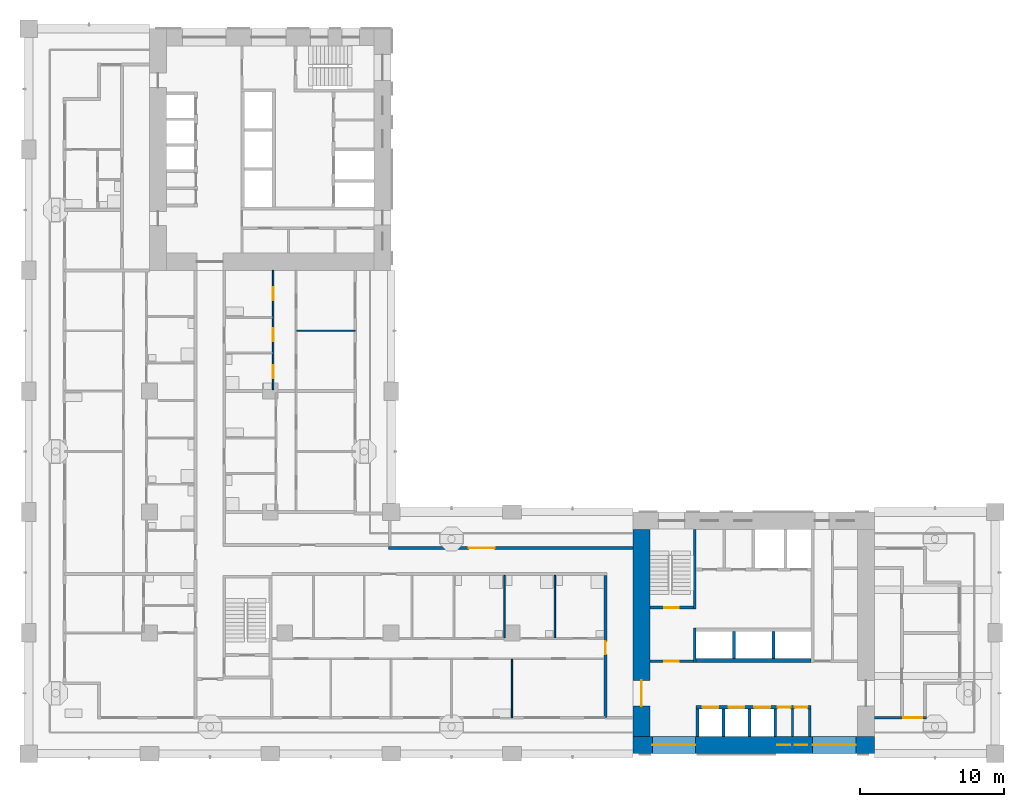
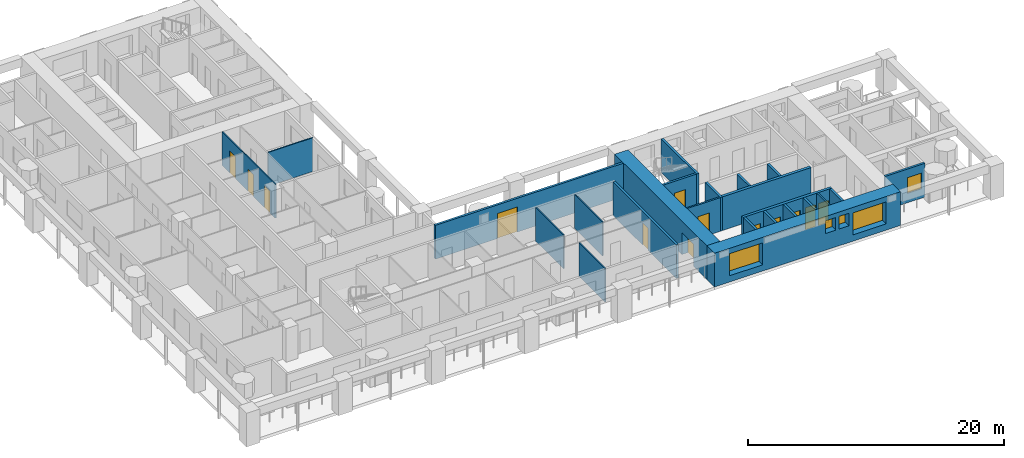
# One storey, part 5 of 19: 24 walls, 13 doors, 5 windows, 18 openings.
"""IFC4 building model written with IfcOpenShell, lengths in metres."""

from ifc_helpers import new_model, si_unit, direction, frame, frame_2d, origin, place, context, subcontext, project, spatial, rectangle, extrude, material, layer, layer_set, type_object, element, fill, save


model = new_model("IFC4")

# Units and contexts
model_context = context("Model", 3, precision=1e-05, world=origin(), true_north=direction((0.0, 1.0)))
body_context = subcontext(model_context, "Body", "Model", "MODEL_VIEW")
ifc_project = project(units=[si_unit("LENGTHUNIT", "METRE"), si_unit("AREAUNIT", "SQUARE_METRE"), si_unit("VOLUMEUNIT", "CUBIC_METRE"), si_unit("PLANEANGLEUNIT", "RADIAN"), si_unit("MASSUNIT", "GRAM", prefix="KILO")], contexts=[model_context])

# Site, building, storey
site_placement = place(None, origin())
site = spatial("IfcSite", under=ifc_project, at=site_placement, CompositionType="ELEMENT")
building_placement = place(site_placement, origin())
building = spatial("IfcBuilding", under=site, at=building_placement, Name="Vermilion Gate Residences", CompositionType="ELEMENT")
storey_placement = place(building_placement, frame((0.0, 0.0, 123.199951171875)))
storey = spatial("IfcBuildingStorey", under=building, at=storey_placement, Name="L31", CompositionType="ELEMENT", Elevation=123.199951171875)

# Wall
ifc_material_1 = material(Name="Masonry blockwork", Category="masonry")
ifc_layer_1 = layer(ifc_material_1, 0.14990234375)
ifc_layer_set_1 = layer_set([ifc_layer_1], Name="BLOCKWORK PARTITION 150 EI 120")
wall_type_1 = type_object("IfcWallType", Name="BLOCKWORK PARTITION 150 EI 120", PredefinedType="PARTITIONING", material=ifc_layer_set_1)
wall_1_placement = place(storey_placement, frame((53.10009765625, 9.60009765625, 0.0), z_axis=(0.0, 0.0, 1.0), x_axis=(0.0, 1.0, 0.0)))
element("IfcWall", 1, at=wall_1_placement, inside=storey, type_object=wall_type_1, Name="Core room partition A31-SR-P0", PredefinedType="PARTITIONING", context=body_context, shape_type="SweptSolid", body=[
    extrude(rectangle(XDim=1.89990234375, YDim=0.14990234375, at=frame_2d((0.949951171875, 0.0))), origin(), (0.0, 0.0, 1.0), 3.219970703125),
])

# Wall, opening, door
wall_2_placement = place(storey_placement, frame((43.199951171875, 14.824951171875, 0.0), z_axis=(0.0, 0.0, 1.0), x_axis=(1.0, 0.0, 0.0)))
wall_2 = element("IfcWall", 2, at=wall_2_placement, inside=storey, type_object=wall_type_1, Name="Core room partition A31-VW-S", PredefinedType="PARTITIONING", context=body_context, shape_type="SweptSolid", body=[
    extrude(rectangle(XDim=3.0, YDim=0.14990234375, at=frame_2d((1.5, 0.0))), origin(), (0.0, 0.0, 1.0), 3.219970703125),
])
opening_1_placement = place(wall_2_placement, frame((1.0, 0.0, 0.0)))
opening_1 = element("IfcOpeningElement", 3, at=opening_1_placement, cuts=wall_2, Name="Opening DK31012", PredefinedType="OPENING", context=body_context, shape_type="SweptSolid", body=[
    extrude(rectangle(XDim=1.0, YDim=2.10009765625, at=frame_2d((0.5, 1.050048828125))), frame((0.0, 0.0849609375, 0.0), z_axis=(0.0, -1.0, 0.0), x_axis=(1.0, 0.0, 0.0)), (0.0, 0.0, 1.0), 0.169921875),
])
ifc_material_2 = material(Name="Steel", Category="steel")
door_type_1 = type_object("IfcDoorType", Name="FIRE DOOR FD60 1000 X 2100", OperationType="SINGLE_SWING_LEFT", PredefinedType="DOOR", material=ifc_material_2)
door_1_placement = place(opening_1_placement, frame((1.0, 0.0, 0.0), z_axis=(0.0, 0.0, 1.0), x_axis=(-1.0, 0.0, 0.0)))
door_1 = element("IfcDoor", 4, at=door_1_placement, inside=storey, type_object=door_type_1, Name="Stair vestibule door A31", OperationType="SINGLE_SWING_RIGHT", OverallHeight=2.10009765625, OverallWidth=1.0, PredefinedType="DOOR", context=body_context, shape_type="SweptSolid", body=[
    extrude(rectangle(XDim=1.0, YDim=2.10009765625, at=frame_2d((0.5, 1.050048828125))), frame((0.0, 0.02490234375, 0.0), z_axis=(0.0, -1.0, 0.0), x_axis=(1.0, 0.0, 0.0)), (0.0, 0.0, 1.0), 0.050048828125),
])
fill(opening_1, door_1)

# Wall, opening, window
ifc_material_3 = material(Name="Insulated steel stud wall with terracotta rainscreen", Category="masonry")
ifc_layer_2 = layer(ifc_material_3, 0.199951171875)
ifc_layer_set_2 = layer_set([ifc_layer_2], Name="EXTERNAL WALL 200 TERRACOTTA RAINSCREEN")
wall_type_2 = type_object("IfcWallType", Name="EXTERNAL WALL 200 TERRACOTTA RAINSCREEN", PredefinedType="SOLIDWALL", material=ifc_layer_set_2)
wall_3_placement = place(storey_placement, frame((58.800048828125, 10.89990234375, 0.0), z_axis=(0.0, 0.0, 1.0), x_axis=(1.0, 0.0, 0.0)))
wall_3 = element("IfcWall", 5, at=wall_3_placement, inside=storey, type_object=wall_type_2, Name="External wall", PredefinedType="SOLIDWALL", context=body_context, shape_type="SweptSolid", body=[
    extrude(rectangle(XDim=3.599853515625, YDim=0.199951171875, at=frame_2d((1.7998046875, 0.0))), origin(), (0.0, 0.0, 1.0), 3.219970703125),
])
opening_2_placement = place(wall_3_placement, frame((2.0, 0.0, 0.89990234375)))
opening_2 = element("IfcOpeningElement", 6, at=opening_2_placement, cuts=wall_3, Name="Opening WE31020", PredefinedType="OPENING", context=body_context, shape_type="SweptSolid", body=[
    extrude(rectangle(XDim=1.300048828125, YDim=1.5, at=frame_2d((0.64990234375, 0.75))), frame((0.0, 0.10986328125, 0.0), z_axis=(0.0, -1.0, 0.0), x_axis=(1.0, 0.0, 0.0)), (0.0, 0.0, 1.0), 0.219970703125),
])
ifc_material_4 = material(Name="Aluminium and clear glass", Category="aluminium")
window_type_1 = type_object("IfcWindowType", Name="WINDOW 1300 X 1500", PartitioningType="SINGLE_PANEL", PredefinedType="WINDOW", material=ifc_material_4)
window_1_placement = place(opening_2_placement, origin())
window_1 = element("IfcWindow", 7, at=window_1_placement, inside=storey, type_object=window_type_1, Name="Window", OverallHeight=1.5, OverallWidth=1.300048828125, PartitioningType="SINGLE_PANEL", PredefinedType="WINDOW", context=body_context, shape_type="SweptSolid", body=[
    extrude(rectangle(XDim=1.300048828125, YDim=1.5, at=frame_2d((0.64990234375, 0.75))), frame((0.0, 0.030029296875, 0.0), z_axis=(0.0, -1.0, 0.0), x_axis=(1.0, 0.0, 0.0)), (0.0, 0.0, 1.0), 0.06005859375),
])
fill(opening_2, window_1)

# Wall, opening, door
wall_4_placement = place(storey_placement, frame((42.0, 22.699951171875, 0.0), z_axis=(0.0, 0.0, 1.0), x_axis=(-1.0, 0.0, 0.0)))
wall_4 = element("IfcWall", 8, at=wall_4_placement, inside=storey, type_object=wall_type_2, Name="External wall", PredefinedType="SOLIDWALL", context=body_context, shape_type="SweptSolid", body=[
    extrude(rectangle(XDim=17.0, YDim=0.199951171875, at=frame_2d((8.5, 0.0))), origin(), (0.0, 0.0, 1.0), 3.219970703125),
])
opening_3_placement = place(wall_4_placement, frame((9.60009765625, 0.0, 0.0)))
opening_3 = element("IfcOpeningElement", 9, at=opening_3_placement, cuts=wall_4, Name="Opening DE31029", PredefinedType="OPENING", context=body_context, shape_type="SweptSolid", body=[
    extrude(rectangle(XDim=1.800048828125, YDim=2.39990234375, at=frame_2d((0.89990234375, 1.199951171875))), frame((0.0, 0.10986328125, 0.0), z_axis=(0.0, -1.0, 0.0), x_axis=(1.0, 0.0, 0.0)), (0.0, 0.0, 1.0), 0.219970703125),
])
ifc_material_5 = material(Name="Aluminium and clear glass", Category="aluminium")
door_type_2 = type_object("IfcDoorType", Name="GLAZED EXTERNAL DOOR 1800 X 2400", OperationType="DOUBLE_DOOR_SINGLE_SWING", PredefinedType="DOOR", material=ifc_material_5)
door_2_placement = place(opening_3_placement, frame((1.800048828125, 0.0, 0.0), z_axis=(0.0, 0.0, 1.0), x_axis=(-1.0, 0.0, 0.0)))
door_2 = element("IfcDoor", 10, at=door_2_placement, inside=storey, type_object=door_type_2, Name="Gallery door", OperationType="DOUBLE_DOOR_SINGLE_SWING", OverallHeight=2.39990234375, OverallWidth=1.800048828125, PredefinedType="DOOR", context=body_context, shape_type="SweptSolid", body=[
    extrude(rectangle(XDim=1.800048828125, YDim=2.39990234375, at=frame_2d((0.89990234375, 1.199951171875))), frame((0.0, 0.02490234375, 0.0), z_axis=(0.0, -1.0, 0.0), x_axis=(1.0, 0.0, 0.0)), (0.0, 0.0, 1.0), 0.050048828125),
])
fill(opening_3, door_2)

# Wall
ifc_material_6 = material(Name="Plasterboard on steel studs", Category="steel")
ifc_layer_3 = layer(ifc_material_6, 0.10009765625)
ifc_layer_set_3 = layer_set([ifc_layer_3], Name="PARTITION 100")
wall_type_3 = type_object("IfcWallType", Name="PARTITION 100", PredefinedType="PARTITIONING", material=ifc_layer_set_3)
wall_5_placement = place(storey_placement, frame((18.64990234375, 37.800048828125, 0.0), z_axis=(0.0, 0.0, 1.0), x_axis=(1.0, 0.0, 0.0)))
element("IfcWall", 11, at=wall_5_placement, inside=storey, type_object=wall_type_3, Name="Partition", PredefinedType="PARTITIONING", context=body_context, shape_type="SweptSolid", body=[
    extrude(rectangle(XDim=4.050048828125, YDim=0.10009765625, at=frame_2d((2.02490234375, 0.0))), origin(), (0.0, 0.0, 1.0), 3.219970703125),
])

# Wall, openings, doors
wall_6_placement = place(storey_placement, frame((17.0, 33.699951171875, 0.0), z_axis=(0.0, 0.0, 1.0), x_axis=(0.0, 1.0, 0.0)))
wall_6 = element("IfcWall", 12, at=wall_6_placement, inside=storey, type_object=wall_type_3, Name="Partition", PredefinedType="PARTITIONING", context=body_context, shape_type="SweptSolid", body=[
    extrude(rectangle(XDim=8.300048828125, YDim=0.10009765625, at=frame_2d((4.14990234375, 0.0))), origin(), (0.0, 0.0, 1.0), 3.219970703125),
])
opening_4_placement = place(wall_6_placement, frame((3.366943359375, 0.0, 0.0)))
opening_4 = element("IfcOpeningElement", 13, at=opening_4_placement, cuts=wall_6, Name="Opening DA30040", PredefinedType="OPENING", context=body_context, shape_type="SweptSolid", body=[
    extrude(rectangle(XDim=0.89990234375, YDim=2.10009765625, at=frame_2d((0.449951171875, 1.050048828125))), frame((0.0, 0.06005859375, 0.0), z_axis=(0.0, -1.0, 0.0), x_axis=(1.0, 0.0, 0.0)), (0.0, 0.0, 1.0), 0.1201171875),
])
opening_5_placement = place(wall_6_placement, frame((0.800048828125, 0.0, 0.0)))
opening_5 = element("IfcOpeningElement", 14, at=opening_5_placement, cuts=wall_6, Name="Opening DA30041", PredefinedType="OPENING", context=body_context, shape_type="SweptSolid", body=[
    extrude(rectangle(XDim=0.89990234375, YDim=2.10009765625, at=frame_2d((0.449951171875, 1.050048828125))), frame((0.0, 0.06005859375, 0.0), z_axis=(0.0, -1.0, 0.0), x_axis=(1.0, 0.0, 0.0)), (0.0, 0.0, 1.0), 0.1201171875),
])
opening_6_placement = place(wall_6_placement, frame((6.23291015625, 0.0, 0.0)))
opening_6 = element("IfcOpeningElement", 15, at=opening_6_placement, cuts=wall_6, Name="Opening DA30042", PredefinedType="OPENING", context=body_context, shape_type="SweptSolid", body=[
    extrude(rectangle(XDim=0.89990234375, YDim=2.10009765625, at=frame_2d((0.449951171875, 1.050048828125))), frame((0.0, 0.06005859375, 0.0), z_axis=(0.0, -1.0, 0.0), x_axis=(1.0, 0.0, 0.0)), (0.0, 0.0, 1.0), 0.1201171875),
])
ifc_material_7 = material(Name="Timber", Category="wood")
door_type_3 = type_object("IfcDoorType", Name="INTERIOR DOOR 900 X 2100", OperationType="SINGLE_SWING_LEFT", PredefinedType="DOOR", material=ifc_material_7)
door_3_placement = place(opening_4_placement, origin())
door_3 = element("IfcDoor", 16, at=door_3_placement, inside=storey, type_object=door_type_3, Name="Interior door", OperationType="SINGLE_SWING_RIGHT", OverallHeight=2.10009765625, OverallWidth=0.89990234375, PredefinedType="DOOR", context=body_context, shape_type="SweptSolid", body=[
    extrude(rectangle(XDim=0.89990234375, YDim=2.10009765625, at=frame_2d((0.449951171875, 1.050048828125))), frame((0.0, 0.02490234375, 0.0), z_axis=(0.0, -1.0, 0.0), x_axis=(1.0, 0.0, 0.0)), (0.0, 0.0, 1.0), 0.050048828125),
])
fill(opening_4, door_3)
door_4_placement = place(opening_5_placement, origin())
door_4 = element("IfcDoor", 17, at=door_4_placement, inside=storey, type_object=door_type_3, Name="Interior door", OperationType="SINGLE_SWING_LEFT", OverallHeight=2.10009765625, OverallWidth=0.89990234375, PredefinedType="DOOR", context=body_context, shape_type="SweptSolid", body=[
    extrude(rectangle(XDim=0.89990234375, YDim=2.10009765625, at=frame_2d((0.449951171875, 1.050048828125))), frame((0.0, 0.02490234375, 0.0), z_axis=(0.0, -1.0, 0.0), x_axis=(1.0, 0.0, 0.0)), (0.0, 0.0, 1.0), 0.050048828125),
])
fill(opening_5, door_4)
door_5_placement = place(opening_6_placement, origin())
door_5 = element("IfcDoor", 18, at=door_5_placement, inside=storey, type_object=door_type_3, Name="Interior door", OperationType="SINGLE_SWING_LEFT", OverallHeight=2.10009765625, OverallWidth=0.89990234375, PredefinedType="DOOR", context=body_context, shape_type="SweptSolid", body=[
    extrude(rectangle(XDim=0.89990234375, YDim=2.10009765625, at=frame_2d((0.449951171875, 1.050048828125))), frame((0.0, 0.02490234375, 0.0), z_axis=(0.0, -1.0, 0.0), x_axis=(1.0, 0.0, 0.0)), (0.0, 0.0, 1.0), 0.050048828125),
])
fill(opening_6, door_5)

# Walls
wall_7_placement = place(storey_placement, frame((33.072021484375, 16.449951171875, 0.0), z_axis=(0.0, 0.0, 1.0), x_axis=(0.0, 1.0, 0.0)))
element("IfcWall", 19, at=wall_7_placement, inside=storey, type_object=wall_type_3, Name="Partition", PredefinedType="PARTITIONING", context=body_context, shape_type="SweptSolid", body=[
    extrude(rectangle(XDim=4.35009765625, YDim=0.10009765625, at=frame_2d((2.175048828125, 0.0))), origin(), (0.0, 0.0, 1.0), 3.219970703125),
])
wall_8_placement = place(storey_placement, frame((33.60009765625, 10.89990234375, 0.0), z_axis=(0.0, 0.0, 1.0), x_axis=(0.0, 1.0, 0.0)))
element("IfcWall", 20, at=wall_8_placement, inside=storey, type_object=wall_type_3, Name="Partition", PredefinedType="PARTITIONING", context=body_context, shape_type="SweptSolid", body=[
    extrude(rectangle(XDim=4.050048828125, YDim=0.10009765625, at=frame_2d((2.02490234375, 0.0))), origin(), (0.0, 0.0, 1.0), 3.219970703125),
])
wall_9_placement = place(storey_placement, frame((36.5859375, 16.449951171875, 0.0), z_axis=(0.0, 0.0, 1.0), x_axis=(0.0, 1.0, 0.0)))
element("IfcWall", 21, at=wall_9_placement, inside=storey, type_object=wall_type_3, Name="Partition", PredefinedType="PARTITIONING", context=body_context, shape_type="SweptSolid", body=[
    extrude(rectangle(XDim=4.35009765625, YDim=0.10009765625, at=frame_2d((2.175048828125, 0.0))), origin(), (0.0, 0.0, 1.0), 3.219970703125),
])

# Wall, opening, door
ifc_material_8 = material(Name="Fire-rated plasterboard on steel studs", Category="steel")
ifc_layer_4 = layer(ifc_material_8, 0.199951171875)
ifc_layer_set_4 = layer_set([ifc_layer_4], Name="PARTY WALL 200 EI 120")
wall_type_4 = type_object("IfcWallType", Name="PARTY WALL 200 EI 120", PredefinedType="PARTITIONING", material=ifc_layer_set_4)
wall_10_placement = place(storey_placement, frame((40.10009765625, 10.89990234375, 0.0), z_axis=(0.0, 0.0, 1.0), x_axis=(0.0, 1.0, 0.0)))
wall_10 = element("IfcWall", 22, at=wall_10_placement, inside=storey, type_object=wall_type_4, Name="Party and corridor wall", PredefinedType="PARTITIONING", context=body_context, shape_type="SweptSolid", body=[
    extrude(rectangle(XDim=9.900146484375, YDim=0.199951171875, at=frame_2d((4.9501953125, 0.0))), origin(), (0.0, 0.0, 1.0), 3.219970703125),
])
opening_7_placement = place(wall_10_placement, frame((4.39990234375, 0.0, 0.0)))
opening_7 = element("IfcOpeningElement", 23, at=opening_7_placement, cuts=wall_10, Name="Opening DA30050", PredefinedType="OPENING", context=body_context, shape_type="SweptSolid", body=[
    extrude(rectangle(XDim=0.89990234375, YDim=2.10009765625, at=frame_2d((0.449951171875, 1.050048828125))), frame((0.0, 0.10986328125, 0.0), z_axis=(0.0, -1.0, 0.0), x_axis=(1.0, 0.0, 0.0)), (0.0, 0.0, 1.0), 0.219970703125),
])
door_6_placement = place(opening_7_placement, origin())
door_6 = element("IfcDoor", 24, at=door_6_placement, inside=storey, type_object=door_type_3, Name="Interior door", OperationType="SINGLE_SWING_RIGHT", OverallHeight=2.10009765625, OverallWidth=0.89990234375, PredefinedType="DOOR", context=body_context, shape_type="SweptSolid", body=[
    extrude(rectangle(XDim=0.89990234375, YDim=2.10009765625, at=frame_2d((0.449951171875, 1.050048828125))), frame((0.0, 0.02490234375, 0.0), z_axis=(0.0, -1.0, 0.0), x_axis=(1.0, 0.0, 0.0)), (0.0, 0.0, 1.0), 0.050048828125),
])
fill(opening_7, door_6)

# Walls
ifc_material_9 = material(Name="Concrete C60", Category="concrete")
ifc_layer_5 = layer(ifc_material_9, 0.199951171875)
ifc_layer_set_5 = layer_set([ifc_layer_5], Name="RC CORE INTERNAL WALL 200 C60")
wall_type_5 = type_object("IfcWallType", Name="RC CORE INTERNAL WALL 200 C60", PredefinedType="SHEAR", material=ifc_layer_set_5)
for number, where, z_axis, x_axis, name in (
    (25, (46.5, 9.60009765625, 0.0), (0.0, 0.0, 1.0), (0.0, 1.0, 0.0), "Core internal wall A31-LR-D0"),
    (26, (48.300048828125, 9.60009765625, 0.0), (0.0, 0.0, 1.0), (0.0, 1.0, 0.0), "Core internal wall A31-LR-D1"),
    (27, (50.10009765625, 9.60009765625, 0.0), (0.0, 0.0, 1.0), (0.0, 1.0, 0.0), "Core internal wall A31-LR-D2"),
    (28, (51.89990234375, 9.60009765625, 0.0), (0.0, 0.0, 1.0), (0.0, 1.0, 0.0), "Core internal wall A31-LR-D3"),
    (29, (54.300048828125, 9.60009765625, 0.0), (0.0, 0.0, 1.0), (0.0, 1.0, 0.0), "Core internal wall A31-LR-DE"),
    (30, (49.033447265625, 15.0, 0.0), (0.0, 0.0, 1.0), (0.0, 1.0, 0.0), "Core internal wall A31-HR-D1"),
    (31, (51.7666015625, 15.0, 0.0), (0.0, 0.0, 1.0), (0.0, 1.0, 0.0), "Core internal wall A31-HR-D2"),
):
    element("IfcWall", number, at=place(storey_placement, frame(where, z_axis=z_axis, x_axis=x_axis)), inside=storey, type_object=wall_type_5, Name=name, PredefinedType="SHEAR", context=body_context, shape_type="SweptSolid", body=[
        extrude(rectangle(XDim=1.89990234375, YDim=0.199951171875, at=frame_2d((0.949951171875, 0.0))), origin(), (0.0, 0.0, 1.0), 3.219970703125),
    ])
wall_11_placement = place(storey_placement, frame((46.300048828125, 14.75, 0.0), z_axis=(0.0, 0.0, 1.0), x_axis=(0.0, 1.0, 0.0)))
element("IfcWall", 32, at=wall_11_placement, inside=storey, type_object=wall_type_5, Name="Core internal wall A31-WDIV1", PredefinedType="SHEAR", context=body_context, shape_type="SweptSolid", body=[
    extrude(rectangle(XDim=2.39990234375, YDim=0.199951171875, at=frame_2d((1.199951171875, 0.0))), origin(), (0.0, 0.0, 1.0), 3.219970703125),
])
wall_12_placement = place(storey_placement, frame((46.300048828125, 18.449951171875, 0.0), z_axis=(0.0, 0.0, 1.0), x_axis=(0.0, 1.0, 0.0)))
element("IfcWall", 33, at=wall_12_placement, inside=storey, type_object=wall_type_5, Name="Core internal wall A31-WDIV2", PredefinedType="SHEAR", context=body_context, shape_type="SweptSolid", body=[
    extrude(rectangle(XDim=5.550048828125, YDim=0.199951171875, at=frame_2d((2.77490234375, 0.0))), origin(), (0.0, 0.0, 1.0), 3.219970703125),
])

# Wall, opening, door
wall_13_placement = place(storey_placement, frame((43.199951171875, 18.550048828125, 0.0), z_axis=(0.0, 0.0, 1.0), x_axis=(1.0, 0.0, 0.0)))
wall_13 = element("IfcWall", 34, at=wall_13_placement, inside=storey, type_object=wall_type_5, Name="Core internal wall A31-STW-S", PredefinedType="SHEAR", context=body_context, shape_type="SweptSolid", body=[
    extrude(rectangle(XDim=3.0, YDim=0.199951171875, at=frame_2d((1.5, 0.0))), origin(), (0.0, 0.0, 1.0), 3.219970703125),
])
opening_8_placement = place(wall_13_placement, frame((1.0, 0.0, 0.0)))
opening_8 = element("IfcOpeningElement", 35, at=opening_8_placement, cuts=wall_13, Name="Opening DK31013", PredefinedType="OPENING", context=body_context, shape_type="SweptSolid", body=[
    extrude(rectangle(XDim=1.0, YDim=2.10009765625, at=frame_2d((0.5, 1.050048828125))), frame((0.0, 0.10986328125, 0.0), z_axis=(0.0, -1.0, 0.0), x_axis=(1.0, 0.0, 0.0)), (0.0, 0.0, 1.0), 0.219970703125),
])
door_7_placement = place(opening_8_placement, origin())
door_7 = element("IfcDoor", 36, at=door_7_placement, inside=storey, type_object=door_type_1, Name="Stair door A31", OperationType="SINGLE_SWING_LEFT", OverallHeight=2.10009765625, OverallWidth=1.0, PredefinedType="DOOR", context=body_context, shape_type="SweptSolid", body=[
    extrude(rectangle(XDim=1.0, YDim=2.10009765625, at=frame_2d((0.5, 1.050048828125))), frame((0.0, 0.02490234375, 0.0), z_axis=(0.0, -1.0, 0.0), x_axis=(1.0, 0.0, 0.0)), (0.0, 0.0, 1.0), 0.050048828125),
])
fill(opening_8, door_7)

ifc_material_10 = material(Name="Concrete C70", Category="concrete")
ifc_layer_6 = layer(ifc_material_10, 1.199951171875)
ifc_layer_set_6 = layer_set([ifc_layer_6], Name="RC CORE WALL 1200 C70")
wall_type_6 = type_object("IfcWallType", Name="RC CORE WALL 1200 C70", PredefinedType="SHEAR", material=ifc_layer_set_6)
wall_14_placement = place(storey_placement, frame((42.60009765625, 9.60009765625, 0.0), z_axis=(0.0, 0.0, 1.0), x_axis=(0.0, 1.0, 0.0)))
wall_14 = element("IfcWall", 37, at=wall_14_placement, inside=storey, type_object=wall_type_6, Name="Core wall A31-OUT-FR", PredefinedType="SHEAR", context=body_context, shape_type="SweptSolid", body=[
    extrude(rectangle(XDim=14.39990234375, YDim=1.199951171875, at=frame_2d((7.199951171875, 0.0))), origin(), (0.0, 0.0, 1.0), 3.219970703125),
])
opening_9_placement = place(wall_14_placement, frame((2.10009765625, 0.0, 0.0)))
opening_9 = element("IfcOpeningElement", 38, at=opening_9_placement, cuts=wall_14, Name="Opening DK31001", PredefinedType="OPENING", context=body_context, shape_type="SweptSolid", body=[
    extrude(rectangle(XDim=1.800048828125, YDim=2.10009765625, at=frame_2d((0.89990234375, 1.050048828125))), frame((0.0, 0.60986328125, 0.0), z_axis=(0.0, -1.0, 0.0), x_axis=(1.0, 0.0, 0.0)), (0.0, 0.0, 1.0), 1.219970703125),
])
ifc_material_11 = material(Name="Steel", Category="steel")
door_type_4 = type_object("IfcDoorType", Name="CORE LOBBY DOOR FD60 1800 X 2100", OperationType="DOUBLE_DOOR_SINGLE_SWING", PredefinedType="DOOR", material=ifc_material_11)
door_8_placement = place(opening_9_placement, frame((1.800048828125, 0.0, 0.0), z_axis=(0.0, 0.0, 1.0), x_axis=(-1.0, 0.0, 0.0)))
door_8 = element("IfcDoor", 39, at=door_8_placement, inside=storey, type_object=door_type_4, Name="Core lobby door A31", OperationType="DOUBLE_DOOR_SINGLE_SWING", OverallHeight=2.10009765625, OverallWidth=1.800048828125, PredefinedType="DOOR", context=body_context, shape_type="SweptSolid", body=[
    extrude(rectangle(XDim=1.800048828125, YDim=2.10009765625, at=frame_2d((0.89990234375, 1.050048828125))), frame((0.0, 0.02490234375, 0.0), z_axis=(0.0, -1.0, 0.0), x_axis=(1.0, 0.0, 0.0)), (0.0, 0.0, 1.0), 0.050048828125),
])
fill(opening_9, door_8)

# Wall, openings, windows
ifc_material_12 = material(Name="Concrete C70 red-oxide pigmented", Category="concrete")
ifc_layer_7 = layer(ifc_material_12, 1.199951171875)
ifc_layer_set_7 = layer_set([ifc_layer_7], Name="RC CORE WALL 1200 C70 RED OXIDE")
wall_type_7 = type_object("IfcWallType", Name="RC CORE WALL 1200 C70 RED OXIDE", PredefinedType="SHEAR", material=ifc_layer_set_7)
wall_15_placement = place(storey_placement, frame((42.0, 9.0, 0.0), z_axis=(0.0, 0.0, 1.0), x_axis=(1.0, 0.0, 0.0)))
wall_15 = element("IfcWall", 40, at=wall_15_placement, inside=storey, type_object=wall_type_7, Name="Core wall A31-OUT-B0", PredefinedType="SHEAR", context=body_context, shape_type="SweptSolid", body=[
    extrude(rectangle(XDim=16.800048828125, YDim=1.199951171875, at=frame_2d((8.39990234375, 0.0))), origin(), (0.0, 0.0, 1.0), 3.219970703125),
])
opening_10_placement = place(wall_15_placement, frame((1.35009765625, 0.0, 0.60009765625)))
opening_10 = element("IfcOpeningElement", 41, at=opening_10_placement, cuts=wall_15, Name="Opening WKA3101", PredefinedType="OPENING", context=body_context, shape_type="SweptSolid", body=[
    extrude(rectangle(XDim=3.0, YDim=2.10009765625, at=frame_2d((1.5, 1.050048828125))), frame((0.0, 0.60986328125, 0.0), z_axis=(0.0, -1.0, 0.0), x_axis=(1.0, 0.0, 0.0)), (0.0, 0.0, 1.0), 1.219970703125),
])
opening_11_placement = place(wall_15_placement, frame((10.050048828125, 0.0, 1.60009765625)))
opening_11 = element("IfcOpeningElement", 42, at=opening_11_placement, cuts=wall_15, Name="Opening WKA3102", PredefinedType="OPENING", context=body_context, shape_type="SweptSolid", body=[
    extrude(rectangle(XDim=0.89990234375, YDim=1.199951171875, at=frame_2d((0.449951171875, 0.60009765625))), frame((0.0, 0.60986328125, 0.0), z_axis=(0.0, -1.0, 0.0), x_axis=(1.0, 0.0, 0.0)), (0.0, 0.0, 1.0), 1.219970703125),
])
opening_12_placement = place(wall_15_placement, frame((11.237548828125, 0.0, 1.60009765625)))
opening_12 = element("IfcOpeningElement", 43, at=opening_12_placement, cuts=wall_15, Name="Opening WKA3103", PredefinedType="OPENING", context=body_context, shape_type="SweptSolid", body=[
    extrude(rectangle(XDim=0.89990234375, YDim=1.199951171875, at=frame_2d((0.449951171875, 0.60009765625))), frame((0.0, 0.60986328125, 0.0), z_axis=(0.0, -1.0, 0.0), x_axis=(1.0, 0.0, 0.0)), (0.0, 0.0, 1.0), 1.219970703125),
])
opening_13_placement = place(wall_15_placement, frame((12.5, 0.0, 0.60009765625)))
opening_13 = element("IfcOpeningElement", 44, at=opening_13_placement, cuts=wall_15, Name="Opening WKA3104", PredefinedType="OPENING", context=body_context, shape_type="SweptSolid", body=[
    extrude(rectangle(XDim=3.0, YDim=2.10009765625, at=frame_2d((1.5, 1.050048828125))), frame((0.0, 0.60986328125, 0.0), z_axis=(0.0, -1.0, 0.0), x_axis=(1.0, 0.0, 0.0)), (0.0, 0.0, 1.0), 1.219970703125),
])
ifc_material_13 = material(Name="Aluminium and clear glass", Category="aluminium")
window_type_2 = type_object("IfcWindowType", Name="CORE LOBBY WINDOW 3000 X 2100", PartitioningType="SINGLE_PANEL", PredefinedType="WINDOW", material=ifc_material_13)
window_2_placement = place(opening_10_placement, origin())
window_2 = element("IfcWindow", 45, at=window_2_placement, inside=storey, type_object=window_type_2, Name="Core lobby window", OverallHeight=2.10009765625, OverallWidth=3.0, PartitioningType="SINGLE_PANEL", PredefinedType="WINDOW", context=body_context, shape_type="SweptSolid", body=[
    extrude(rectangle(XDim=3.0, YDim=2.10009765625, at=frame_2d((1.5, 1.050048828125))), frame((0.0, 0.030029296875, 0.0), z_axis=(0.0, -1.0, 0.0), x_axis=(1.0, 0.0, 0.0)), (0.0, 0.0, 1.0), 0.06005859375),
])
fill(opening_10, window_2)
window_3_placement = place(opening_13_placement, origin())
window_3 = element("IfcWindow", 46, at=window_3_placement, inside=storey, type_object=window_type_2, Name="Core lobby window", OverallHeight=2.10009765625, OverallWidth=3.0, PartitioningType="SINGLE_PANEL", PredefinedType="WINDOW", context=body_context, shape_type="SweptSolid", body=[
    extrude(rectangle(XDim=3.0, YDim=2.10009765625, at=frame_2d((1.5, 1.050048828125))), frame((0.0, 0.030029296875, 0.0), z_axis=(0.0, -1.0, 0.0), x_axis=(1.0, 0.0, 0.0)), (0.0, 0.0, 1.0), 0.06005859375),
])
fill(opening_13, window_3)
ifc_material_14 = material(Name="Aluminium frame with louvre blades", Category="aluminium")
window_type_3 = type_object("IfcWindowType", Name="CORE LOUVRE 900 X 1200", PartitioningType="SINGLE_PANEL", PredefinedType="WINDOW", material=ifc_material_14)
window_4_placement = place(opening_11_placement, origin())
window_4 = element("IfcWindow", 47, at=window_4_placement, inside=storey, type_object=window_type_3, Name="Core louvre", OverallHeight=1.199951171875, OverallWidth=0.89990234375, PartitioningType="SINGLE_PANEL", PredefinedType="WINDOW", context=body_context, shape_type="SweptSolid", body=[
    extrude(rectangle(XDim=0.89990234375, YDim=1.199951171875, at=frame_2d((0.449951171875, 0.60009765625))), frame((0.0, 0.030029296875, 0.0), z_axis=(0.0, -1.0, 0.0), x_axis=(1.0, 0.0, 0.0)), (0.0, 0.0, 1.0), 0.06005859375),
])
fill(opening_11, window_4)
window_5_placement = place(opening_12_placement, origin())
window_5 = element("IfcWindow", 48, at=window_5_placement, inside=storey, type_object=window_type_3, Name="Core louvre", OverallHeight=1.199951171875, OverallWidth=0.89990234375, PartitioningType="SINGLE_PANEL", PredefinedType="WINDOW", context=body_context, shape_type="SweptSolid", body=[
    extrude(rectangle(XDim=0.89990234375, YDim=1.199951171875, at=frame_2d((0.449951171875, 0.60009765625))), frame((0.0, 0.030029296875, 0.0), z_axis=(0.0, -1.0, 0.0), x_axis=(1.0, 0.0, 0.0)), (0.0, 0.0, 1.0), 0.06005859375),
])
fill(opening_12, window_5)

# Wall, openings, doors
ifc_material_15 = material(Name="Concrete C60", Category="concrete")
ifc_layer_8 = layer(ifc_material_15, 0.25)
ifc_layer_set_8 = layer_set([ifc_layer_8], Name="RC LIFT SHAFT WALL 250 C60")
wall_type_8 = type_object("IfcWallType", Name="RC LIFT SHAFT WALL 250 C60", PredefinedType="SHEAR", material=ifc_layer_set_8)
wall_16_placement = place(storey_placement, frame((46.39990234375, 11.625, 0.0), z_axis=(0.0, 0.0, 1.0), x_axis=(1.0, 0.0, 0.0)))
wall_16 = element("IfcWall", 49, at=wall_16_placement, inside=storey, type_object=wall_type_8, Name="Lift shaft wall A31-LR-F", PredefinedType="SHEAR", context=body_context, shape_type="SweptSolid", body=[
    extrude(rectangle(XDim=8.0, YDim=0.25, at=frame_2d((4.0, 0.0))), origin(), (0.0, 0.0, 1.0), 3.219970703125),
])
opening_14_placement = place(wall_16_placement, frame((0.449951171875, 0.0, 0.0)))
opening_14 = element("IfcOpeningElement", 50, at=opening_14_placement, cuts=wall_16, Name="Opening LD", PredefinedType="OPENING", context=body_context, shape_type="SweptSolid", body=[
    extrude(rectangle(XDim=1.10009765625, YDim=2.10009765625, at=frame_2d((0.550048828125, 1.050048828125))), frame((0.0, 0.135009765625, 0.0), z_axis=(0.0, -1.0, 0.0), x_axis=(1.0, 0.0, 0.0)), (0.0, 0.0, 1.0), 0.27001953125),
])
opening_15_placement = place(wall_16_placement, frame((2.25, 0.0, 0.0)))
opening_15 = element("IfcOpeningElement", 51, at=opening_15_placement, cuts=wall_16, Name="Opening LD", PredefinedType="OPENING", context=body_context, shape_type="SweptSolid", body=[
    extrude(rectangle(XDim=1.10009765625, YDim=2.10009765625, at=frame_2d((0.550048828125, 1.050048828125))), frame((0.0, 0.135009765625, 0.0), z_axis=(0.0, -1.0, 0.0), x_axis=(1.0, 0.0, 0.0)), (0.0, 0.0, 1.0), 0.27001953125),
])
opening_16_placement = place(wall_16_placement, frame((4.050048828125, 0.0, 0.0)))
opening_16 = element("IfcOpeningElement", 52, at=opening_16_placement, cuts=wall_16, Name="Opening LD", PredefinedType="OPENING", context=body_context, shape_type="SweptSolid", body=[
    extrude(rectangle(XDim=1.10009765625, YDim=2.10009765625, at=frame_2d((0.550048828125, 1.050048828125))), frame((0.0, 0.135009765625, 0.0), z_axis=(0.0, -1.0, 0.0), x_axis=(1.0, 0.0, 0.0)), (0.0, 0.0, 1.0), 0.27001953125),
])
opening_17_placement = place(wall_16_placement, frame((5.66259765625, 0.0, 0.0)))
opening_17 = element("IfcOpeningElement", 53, at=opening_17_placement, cuts=wall_16, Name="Opening DK31006", PredefinedType="OPENING", context=body_context, shape_type="SweptSolid", body=[
    extrude(rectangle(XDim=0.89990234375, YDim=2.10009765625, at=frame_2d((0.449951171875, 1.050048828125))), frame((0.0, 0.135009765625, 0.0), z_axis=(0.0, -1.0, 0.0), x_axis=(1.0, 0.0, 0.0)), (0.0, 0.0, 1.0), 0.27001953125),
])
opening_18_placement = place(wall_16_placement, frame((6.83740234375, 0.0, 0.0)))
opening_18 = element("IfcOpeningElement", 54, at=opening_18_placement, cuts=wall_16, Name="Opening DK31007", PredefinedType="OPENING", context=body_context, shape_type="SweptSolid", body=[
    extrude(rectangle(XDim=0.89990234375, YDim=2.10009765625, at=frame_2d((0.449951171875, 1.050048828125))), frame((0.0, 0.135009765625, 0.0), z_axis=(0.0, -1.0, 0.0), x_axis=(1.0, 0.0, 0.0)), (0.0, 0.0, 1.0), 0.27001953125),
])
ifc_material_16 = material(Name="Stainless steel", Category="steel")
door_type_5 = type_object("IfcDoorType", Name="LIFT LANDING DOOR E60 1100 X 2100", OperationType="DOUBLE_DOOR_SLIDING", PredefinedType="DOOR", material=ifc_material_16)
door_9_placement = place(opening_14_placement, origin())
door_9 = element("IfcDoor", 55, at=door_9_placement, inside=storey, type_object=door_type_5, Name="Lift landing door LRA1", OperationType="DOUBLE_DOOR_SLIDING", OverallHeight=2.10009765625, OverallWidth=1.10009765625, PredefinedType="DOOR", context=body_context, shape_type="SweptSolid", body=[
    extrude(rectangle(XDim=1.10009765625, YDim=2.10009765625, at=frame_2d((0.550048828125, 1.050048828125))), frame((0.0, 0.02490234375, 0.0), z_axis=(0.0, -1.0, 0.0), x_axis=(1.0, 0.0, 0.0)), (0.0, 0.0, 1.0), 0.050048828125),
])
fill(opening_14, door_9)
door_10_placement = place(opening_15_placement, origin())
door_10 = element("IfcDoor", 56, at=door_10_placement, inside=storey, type_object=door_type_5, Name="Lift landing door LRA2", OperationType="DOUBLE_DOOR_SLIDING", OverallHeight=2.10009765625, OverallWidth=1.10009765625, PredefinedType="DOOR", context=body_context, shape_type="SweptSolid", body=[
    extrude(rectangle(XDim=1.10009765625, YDim=2.10009765625, at=frame_2d((0.550048828125, 1.050048828125))), frame((0.0, 0.02490234375, 0.0), z_axis=(0.0, -1.0, 0.0), x_axis=(1.0, 0.0, 0.0)), (0.0, 0.0, 1.0), 0.050048828125),
])
fill(opening_15, door_10)
door_11_placement = place(opening_16_placement, origin())
door_11 = element("IfcDoor", 57, at=door_11_placement, inside=storey, type_object=door_type_5, Name="Lift landing door LRA3", OperationType="DOUBLE_DOOR_SLIDING", OverallHeight=2.10009765625, OverallWidth=1.10009765625, PredefinedType="DOOR", context=body_context, shape_type="SweptSolid", body=[
    extrude(rectangle(XDim=1.10009765625, YDim=2.10009765625, at=frame_2d((0.550048828125, 1.050048828125))), frame((0.0, 0.02490234375, 0.0), z_axis=(0.0, -1.0, 0.0), x_axis=(1.0, 0.0, 0.0)), (0.0, 0.0, 1.0), 0.050048828125),
])
fill(opening_16, door_11)
ifc_material_17 = material(Name="Steel", Category="steel")
door_type_6 = type_object("IfcDoorType", Name="SERVICE ROOM DOOR FD60 900 X 2100", OperationType="SINGLE_SWING_LEFT", PredefinedType="DOOR", material=ifc_material_17)
door_12_placement = place(opening_17_placement, frame((0.89990234375, 0.0, 0.0), z_axis=(0.0, 0.0, 1.0), x_axis=(-1.0, 0.0, 0.0)))
door_12 = element("IfcDoor", 58, at=door_12_placement, inside=storey, type_object=door_type_6, Name="Refuse room A31", OperationType="SINGLE_SWING_RIGHT", OverallHeight=2.10009765625, OverallWidth=0.89990234375, PredefinedType="DOOR", context=body_context, shape_type="SweptSolid", body=[
    extrude(rectangle(XDim=0.89990234375, YDim=2.10009765625, at=frame_2d((0.449951171875, 1.050048828125))), frame((0.0, 0.02490234375, 0.0), z_axis=(0.0, -1.0, 0.0), x_axis=(1.0, 0.0, 0.0)), (0.0, 0.0, 1.0), 0.050048828125),
])
fill(opening_17, door_12)
door_13_placement = place(opening_18_placement, frame((0.89990234375, 0.0, 0.0), z_axis=(0.0, 0.0, 1.0), x_axis=(-1.0, 0.0, 0.0)))
door_13 = element("IfcDoor", 59, at=door_13_placement, inside=storey, type_object=door_type_6, Name="Parcel room A31", OperationType="SINGLE_SWING_RIGHT", OverallHeight=2.10009765625, OverallWidth=0.89990234375, PredefinedType="DOOR", context=body_context, shape_type="SweptSolid", body=[
    extrude(rectangle(XDim=0.89990234375, YDim=2.10009765625, at=frame_2d((0.449951171875, 1.050048828125))), frame((0.0, 0.02490234375, 0.0), z_axis=(0.0, -1.0, 0.0), x_axis=(1.0, 0.0, 0.0)), (0.0, 0.0, 1.0), 0.050048828125),
])
fill(opening_18, door_13)

# Wall
wall_17_placement = place(storey_placement, frame((46.39990234375, 14.875, 0.0), z_axis=(0.0, 0.0, 1.0), x_axis=(1.0, 0.0, 0.0)))
element("IfcWall", 60, at=wall_17_placement, inside=storey, type_object=wall_type_8, Name="Lift shaft wall A31-HR-F", PredefinedType="SHEAR", context=body_context, shape_type="SweptSolid", body=[
    extrude(rectangle(XDim=8.0, YDim=0.25, at=frame_2d((4.0, 0.0))), origin(), (0.0, 0.0, 1.0), 3.219970703125),
])

save(model, "model.ifc")
